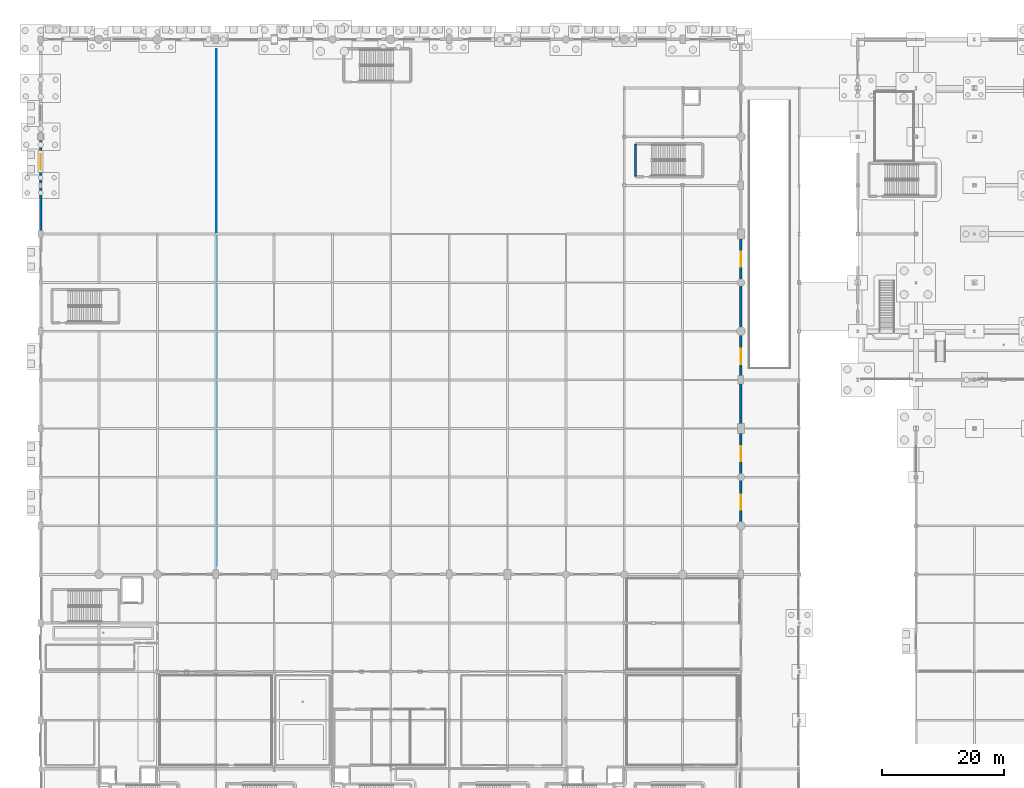
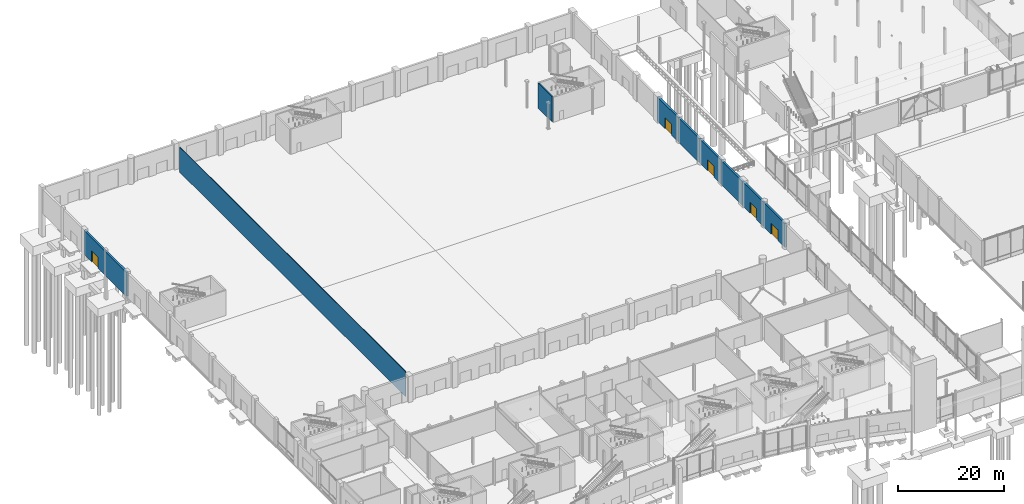
# One storey, part 78 of 124: 10 walls, 5 doors, 5 openings.
"""IFC4 building model written with IfcOpenShell, lengths in metres."""

from ifc_helpers import new_model, si_unit, direction, frame, frame_2d, origin, place, context, subcontext, project, spatial, rectangle, extrude, material, layer, layer_set, type_object, element, fill, save


model = new_model("IFC4")

# Units and contexts
model_context = context("Model", 3, precision=1e-05, world=origin(), true_north=direction((0.0, 1.0)))
body_context = subcontext(model_context, "Body", "Model", "MODEL_VIEW")
ifc_project = project(units=[si_unit("LENGTHUNIT", "METRE"), si_unit("AREAUNIT", "SQUARE_METRE"), si_unit("VOLUMEUNIT", "CUBIC_METRE"), si_unit("PLANEANGLEUNIT", "RADIAN"), si_unit("MASSUNIT", "GRAM", prefix="KILO")], contexts=[model_context])

# Site, building, storey
site_placement = place(None, origin())
site = spatial("IfcSite", under=ifc_project, at=site_placement, CompositionType="ELEMENT")
building_placement = place(site_placement, origin())
building = spatial("IfcBuilding", under=site, at=building_placement, Name="Danafjord Basin Convention Centre", CompositionType="ELEMENT")
storey_placement = place(building_placement, origin())
storey = spatial("IfcBuildingStorey", under=building, at=storey_placement, Name="L00", CompositionType="ELEMENT", Elevation=0.0)

# Wall
ifc_material_1 = material(Name="Concrete C40/50", Category="concrete")
ifc_layer_1 = layer(ifc_material_1, 0.300048828125)
ifc_layer_set_1 = layer_set([ifc_layer_1], Name="Concrete C40/50")
wall_type_1 = type_object("IfcWallType", Name="WALL-CW-CORE300", PredefinedType="SHEAR", material=ifc_layer_set_1)
wall_1_placement = place(storey_placement, frame((97.85009765625, 121.534912109375, 0.0), z_axis=(0.0, 0.0, 1.0), x_axis=(0.0, 1.0, 0.0)))
element("IfcWall", 1, at=wall_1_placement, inside=storey, type_object=wall_type_1, Name="North Exhibition Core Stair 1 core shear wall (west)", PredefinedType="SHEAR", context=body_context, shape_type="SweptSolid", body=[
    extrude(rectangle(XDim=5.190185546875, YDim=0.300048828125, at=frame_2d((2.59521484375, 0.0))), origin(), (0.0, 0.0, 1.0), 5.75),
])

# Wall, opening, door
ifc_material_2 = material(Name="Precast concrete C45/55", Category="concrete")
ifc_layer_2 = layer(ifc_material_2, 0.419921875)
ifc_layer_set_2 = layer_set([ifc_layer_2], Name="Precast concrete C45/55")
wall_type_2 = type_object("IfcWallType", Name="WALL-EW-PC420", PredefinedType="SOLIDWALL", material=ifc_layer_set_2)
wall_2_placement = place(storey_placement, frame((115.199951171875, 64.0, 0.0), z_axis=(0.0, 0.0, 1.0), x_axis=(0.0, 1.0, 0.0)))
wall_2 = element("IfcWall", 2, at=wall_2_placement, inside=storey, type_object=wall_type_2, Name="Exhibition hall E precast wall bay 2", PredefinedType="SOLIDWALL", context=body_context, shape_type="SweptSolid", body=[
    extrude(rectangle(XDim=8.0, YDim=0.419921875, at=frame_2d((4.0, 0.0))), origin(), (0.0, 0.0, 1.0), 5.550048828125),
])
opening_1_placement = place(wall_2_placement, frame((2.60009765625, 0.0, 0.0)))
opening_1 = element("IfcOpeningElement", 3, at=opening_1_placement, cuts=wall_2, Name="Opening ED-02", PredefinedType="OPENING", context=body_context, shape_type="SweptSolid", body=[
    extrude(rectangle(XDim=2.47998046875, YDim=2.52001953125, at=frame_2d((1.239990234375, 1.260009765625))), frame((0.0, 0.219970703125, 0.0), z_axis=(0.0, -1.0, 0.0), x_axis=(1.0, 0.0, 0.0)), (0.0, 0.0, 1.0), 0.43994140625),
])
ifc_material_3 = material(Name="Thermally broken anodised aluminium and steel", Category="steel")
door_type = type_object("IfcDoorType", Name="DOOR-ED-02", OperationType="DOUBLE_DOOR_SINGLE_SWING", PredefinedType="DOOR", material=ifc_material_3)
door_1_placement = place(opening_1_placement, origin())
door_1 = element("IfcDoor", 4, at=door_1_placement, inside=storey, type_object=door_type, Name="Exhibition Hall E Exit Door", OperationType="DOUBLE_DOOR_SINGLE_SWING", OverallHeight=2.52001953125, OverallWidth=2.47998046875, PredefinedType="DOOR", context=body_context, shape_type="SweptSolid", body=[
    extrude(rectangle(XDim=2.47998046875, YDim=2.52001953125, at=frame_2d((1.239990234375, 1.260009765625))), frame((0.0, 0.02490234375, 0.0), z_axis=(0.0, -1.0, 0.0), x_axis=(1.0, 0.0, 0.0)), (0.0, 0.0, 1.0), 0.050048828125),
])
fill(opening_1, door_1)

wall_3_placement = place(storey_placement, frame((115.199951171875, 72.0, 0.0), z_axis=(0.0, 0.0, 1.0), x_axis=(0.0, 1.0, 0.0)))
wall_3 = element("IfcWall", 5, at=wall_3_placement, inside=storey, type_object=wall_type_2, Name="Exhibition hall E precast wall bay 3", PredefinedType="SOLIDWALL", context=body_context, shape_type="SweptSolid", body=[
    extrude(rectangle(XDim=8.0, YDim=0.419921875, at=frame_2d((4.0, 0.0))), origin(), (0.0, 0.0, 1.0), 5.550048828125),
])
opening_2_placement = place(wall_3_placement, frame((2.60009765625, 0.0, 0.0)))
opening_2 = element("IfcOpeningElement", 6, at=opening_2_placement, cuts=wall_3, Name="Opening ED-02", PredefinedType="OPENING", context=body_context, shape_type="SweptSolid", body=[
    extrude(rectangle(XDim=2.47998046875, YDim=2.52001953125, at=frame_2d((1.239990234375, 1.260009765625))), frame((0.0, 0.219970703125, 0.0), z_axis=(0.0, -1.0, 0.0), x_axis=(1.0, 0.0, 0.0)), (0.0, 0.0, 1.0), 0.43994140625),
])
door_2_placement = place(opening_2_placement, origin())
door_2 = element("IfcDoor", 7, at=door_2_placement, inside=storey, type_object=door_type, Name="Exhibition Hall E Exit Door", OperationType="DOUBLE_DOOR_SINGLE_SWING", OverallHeight=2.52001953125, OverallWidth=2.47998046875, PredefinedType="DOOR", context=body_context, shape_type="SweptSolid", body=[
    extrude(rectangle(XDim=2.47998046875, YDim=2.52001953125, at=frame_2d((1.239990234375, 1.260009765625))), frame((0.0, 0.02490234375, 0.0), z_axis=(0.0, -1.0, 0.0), x_axis=(1.0, 0.0, 0.0)), (0.0, 0.0, 1.0), 0.050048828125),
])
fill(opening_2, door_2)

# Wall
wall_4_placement = place(storey_placement, frame((115.199951171875, 80.0, 0.0), z_axis=(0.0, 0.0, 1.0), x_axis=(0.0, 1.0, 0.0)))
element("IfcWall", 8, at=wall_4_placement, inside=storey, type_object=wall_type_2, Name="Exhibition hall E precast wall bay 4", PredefinedType="SOLIDWALL", context=body_context, shape_type="SweptSolid", body=[
    extrude(rectangle(XDim=8.0, YDim=0.419921875, at=frame_2d((4.0, 0.0))), origin(), (0.0, 0.0, 1.0), 5.550048828125),
])

# Wall, opening, door
wall_5_placement = place(storey_placement, frame((115.199951171875, 88.0, 0.0), z_axis=(0.0, 0.0, 1.0), x_axis=(0.0, 1.0, 0.0)))
wall_5 = element("IfcWall", 9, at=wall_5_placement, inside=storey, type_object=wall_type_2, Name="Exhibition hall E precast wall bay 5", PredefinedType="SOLIDWALL", context=body_context, shape_type="SweptSolid", body=[
    extrude(rectangle(XDim=8.0, YDim=0.419921875, at=frame_2d((4.0, 0.0))), origin(), (0.0, 0.0, 1.0), 5.550048828125),
])
opening_3_placement = place(wall_5_placement, frame((2.60009765625, 0.0, 0.0)))
opening_3 = element("IfcOpeningElement", 10, at=opening_3_placement, cuts=wall_5, Name="Opening ED-02", PredefinedType="OPENING", context=body_context, shape_type="SweptSolid", body=[
    extrude(rectangle(XDim=2.47998046875, YDim=2.52001953125, at=frame_2d((1.239990234375, 1.260009765625))), frame((0.0, 0.219970703125, 0.0), z_axis=(0.0, -1.0, 0.0), x_axis=(1.0, 0.0, 0.0)), (0.0, 0.0, 1.0), 0.43994140625),
])
door_3_placement = place(opening_3_placement, origin())
door_3 = element("IfcDoor", 11, at=door_3_placement, inside=storey, type_object=door_type, Name="Exhibition Hall E Exit Door", OperationType="DOUBLE_DOOR_SINGLE_SWING", OverallHeight=2.52001953125, OverallWidth=2.47998046875, PredefinedType="DOOR", context=body_context, shape_type="SweptSolid", body=[
    extrude(rectangle(XDim=2.47998046875, YDim=2.52001953125, at=frame_2d((1.239990234375, 1.260009765625))), frame((0.0, 0.02490234375, 0.0), z_axis=(0.0, -1.0, 0.0), x_axis=(1.0, 0.0, 0.0)), (0.0, 0.0, 1.0), 0.050048828125),
])
fill(opening_3, door_3)

# Wall
wall_6_placement = place(storey_placement, frame((115.199951171875, 96.0, 0.0), z_axis=(0.0, 0.0, 1.0), x_axis=(0.0, 1.0, 0.0)))
element("IfcWall", 12, at=wall_6_placement, inside=storey, type_object=wall_type_2, Name="Exhibition hall E precast wall bay 6", PredefinedType="SOLIDWALL", context=body_context, shape_type="SweptSolid", body=[
    extrude(rectangle(XDim=8.0, YDim=0.419921875, at=frame_2d((4.0, 0.0))), origin(), (0.0, 0.0, 1.0), 5.550048828125),
])

# Wall, opening, door
wall_7_placement = place(storey_placement, frame((115.199951171875, 104.0, 0.0), z_axis=(0.0, 0.0, 1.0), x_axis=(0.0, 1.0, 0.0)))
wall_7 = element("IfcWall", 13, at=wall_7_placement, inside=storey, type_object=wall_type_2, Name="Exhibition hall E precast wall bay 7", PredefinedType="SOLIDWALL", context=body_context, shape_type="SweptSolid", body=[
    extrude(rectangle(XDim=8.0, YDim=0.419921875, at=frame_2d((4.0, 0.0))), origin(), (0.0, 0.0, 1.0), 5.550048828125),
])
opening_4_placement = place(wall_7_placement, frame((2.60009765625, 0.0, 0.0)))
opening_4 = element("IfcOpeningElement", 14, at=opening_4_placement, cuts=wall_7, Name="Opening ED-02", PredefinedType="OPENING", context=body_context, shape_type="SweptSolid", body=[
    extrude(rectangle(XDim=2.47998046875, YDim=2.52001953125, at=frame_2d((1.239990234375, 1.260009765625))), frame((0.0, 0.219970703125, 0.0), z_axis=(0.0, -1.0, 0.0), x_axis=(1.0, 0.0, 0.0)), (0.0, 0.0, 1.0), 0.43994140625),
])
door_4_placement = place(opening_4_placement, origin())
door_4 = element("IfcDoor", 15, at=door_4_placement, inside=storey, type_object=door_type, Name="Exhibition Hall E Exit Door", OperationType="DOUBLE_DOOR_SINGLE_SWING", OverallHeight=2.52001953125, OverallWidth=2.47998046875, PredefinedType="DOOR", context=body_context, shape_type="SweptSolid", body=[
    extrude(rectangle(XDim=2.47998046875, YDim=2.52001953125, at=frame_2d((1.239990234375, 1.260009765625))), frame((0.0, 0.02490234375, 0.0), z_axis=(0.0, -1.0, 0.0), x_axis=(1.0, 0.0, 0.0)), (0.0, 0.0, 1.0), 0.050048828125),
])
fill(opening_4, door_4)

# Wall
wall_8_placement = place(storey_placement, frame((0.0, 112.0, 0.0), z_axis=(0.0, 0.0, 1.0), x_axis=(0.0, 1.0, 0.0)))
element("IfcWall", 16, at=wall_8_placement, inside=storey, type_object=wall_type_2, Name="Exhibition hall W precast wall bay 8", PredefinedType="SOLIDWALL", context=body_context, shape_type="SweptSolid", body=[
    extrude(rectangle(XDim=8.0, YDim=0.419921875, at=frame_2d((4.0, 0.0))), origin(), (0.0, 0.0, 1.0), 5.550048828125),
])

# Wall, opening, door
wall_9_placement = place(storey_placement, frame((0.0, 120.0, 0.0), z_axis=(0.0, 0.0, 1.0), x_axis=(0.0, 1.0, 0.0)))
wall_9 = element("IfcWall", 17, at=wall_9_placement, inside=storey, type_object=wall_type_2, Name="Exhibition hall W precast wall bay 9", PredefinedType="SOLIDWALL", context=body_context, shape_type="SweptSolid", body=[
    extrude(rectangle(XDim=8.0, YDim=0.419921875, at=frame_2d((4.0, 0.0))), origin(), (0.0, 0.0, 1.0), 5.550048828125),
])
opening_5_placement = place(wall_9_placement, frame((2.60009765625, 0.0, 0.0)))
opening_5 = element("IfcOpeningElement", 18, at=opening_5_placement, cuts=wall_9, Name="Opening ED-02", PredefinedType="OPENING", context=body_context, shape_type="SweptSolid", body=[
    extrude(rectangle(XDim=2.47998046875, YDim=2.52001953125, at=frame_2d((1.239990234375, 1.260009765625))), frame((0.0, 0.219970703125, 0.0), z_axis=(0.0, -1.0, 0.0), x_axis=(1.0, 0.0, 0.0)), (0.0, 0.0, 1.0), 0.43994140625),
])
door_5_placement = place(opening_5_placement, origin())
door_5 = element("IfcDoor", 19, at=door_5_placement, inside=storey, type_object=door_type, Name="Exhibition Hall W Exit Door", OperationType="DOUBLE_DOOR_SINGLE_SWING", OverallHeight=2.52001953125, OverallWidth=2.47998046875, PredefinedType="DOOR", context=body_context, shape_type="SweptSolid", body=[
    extrude(rectangle(XDim=2.47998046875, YDim=2.52001953125, at=frame_2d((1.239990234375, 1.260009765625))), frame((0.0, 0.02490234375, 0.0), z_axis=(0.0, -1.0, 0.0), x_axis=(1.0, 0.0, 0.0)), (0.0, 0.0, 1.0), 0.050048828125),
])
fill(opening_5, door_5)

# Wall
ifc_material_4 = material(Name="Top-hung acoustic operable panel wall")
ifc_layer_3 = layer(ifc_material_4, 0.135009765625)
ifc_layer_set_3 = layer_set([ifc_layer_3], Name="Top-hung acoustic operable panel wall")
wall_type_3 = type_object("IfcWallType", Name="WALL-PT-MOV135", PredefinedType="MOVABLE", material=ifc_layer_set_3)
wall_10_placement = place(storey_placement, frame((28.909912109375, 57.39990234375, 0.0), z_axis=(0.0, 0.0, 1.0), x_axis=(0.0, 1.0, 0.0)))
element("IfcWall", 20, at=wall_10_placement, inside=storey, type_object=wall_type_3, Name="Main Column-Free Exhibition Hall H1 operable acoustic wall", PredefinedType="MOVABLE", context=body_context, shape_type="SweptSolid", body=[
    extrude(rectangle(XDim=84.97998046875, YDim=0.135009765625, at=frame_2d((42.489990234375, 0.0))), origin(), (0.0, 0.0, 1.0), 5.75),
])

save(model, "model.ifc")
